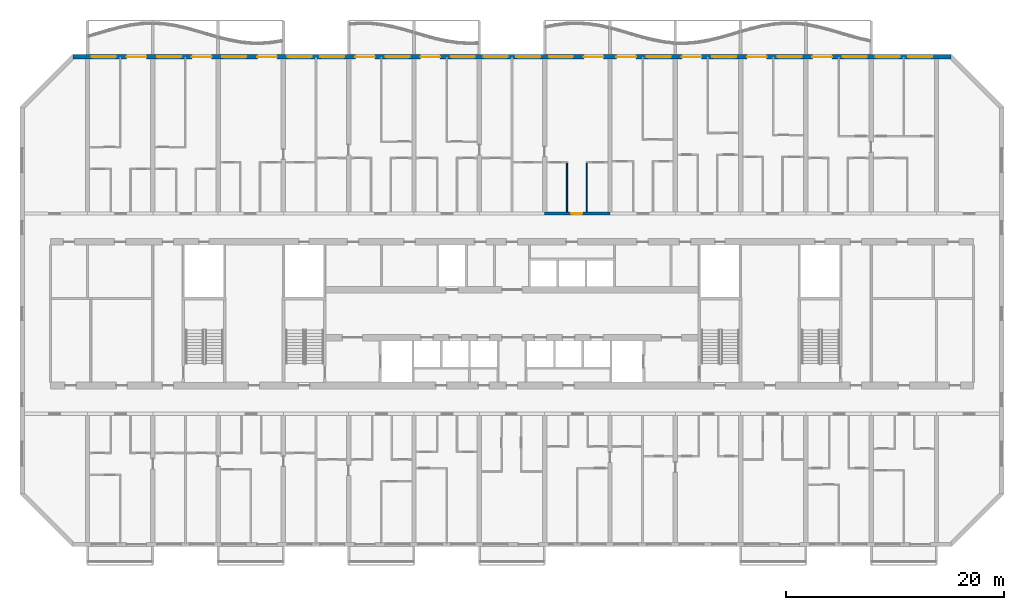
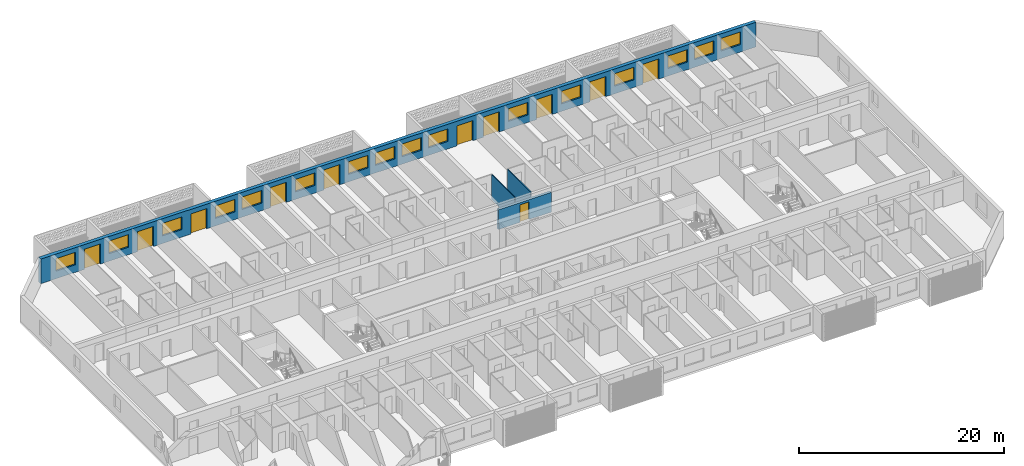
# One storey, part 12 of 39: 16 windows, 11 doors, 4 walls, 27 openings.
"""IFC4 building model written with IfcOpenShell, lengths in metres."""

from ifc_helpers import new_model, si_unit, direction, frame, frame_2d, origin, place, context, subcontext, project, spatial, rectangle, extrude, material, layer, layer_set, type_object, element, fill, save


model = new_model("IFC4")

# Units and contexts
model_context = context("Model", 3, precision=1e-05, world=origin(), true_north=direction((0.0, 1.0)))
body_context = subcontext(model_context, "Body", "Model", "MODEL_VIEW")
ifc_project = project(units=[si_unit("LENGTHUNIT", "METRE"), si_unit("AREAUNIT", "SQUARE_METRE"), si_unit("VOLUMEUNIT", "CUBIC_METRE"), si_unit("PLANEANGLEUNIT", "RADIAN"), si_unit("MASSUNIT", "GRAM", prefix="KILO")], contexts=[model_context])

# Site, building, storey
site_placement = place(None, origin())
site = spatial("IfcSite", under=ifc_project, at=site_placement, CompositionType="ELEMENT")
building_placement = place(site_placement, origin())
building = spatial("IfcBuilding", under=site, at=building_placement, Name="Poui Terraces", CompositionType="ELEMENT")
storey_placement = place(building_placement, frame((0.0, 0.0, 63.0)))
storey = spatial("IfcBuildingStorey", under=building, at=storey_placement, Name="L17", CompositionType="ELEMENT", Elevation=63.0)

# Wall, opening, door
ifc_material_1 = material(Name="Concrete 80 MPa", Category="concrete")
ifc_layer_1 = layer(ifc_material_1, 0.300048828125)
ifc_layer_set_1 = layer_set([ifc_layer_1], Name="Concrete 80 MPa")
wall_type_1 = type_object("IfcWallType", Name="CORRIDOR WALL 300 80MPa", PredefinedType="SHEAR", material=ifc_layer_set_1)
wall_1_placement = place(storey_placement, frame((54.0, 30.39990234375, 0.0), z_axis=(0.0, 0.0, 1.0), x_axis=(1.0, 0.0, 0.0)))
wall_1 = element("IfcWall", 1, at=wall_1_placement, inside=storey, type_object=wall_type_1, Name="CORRIDOR WALL LINE E BAY 9", PredefinedType="SHEAR", context=body_context, shape_type="SweptSolid", body=[
    extrude(rectangle(XDim=6.0, YDim=0.300048828125, at=frame_2d((3.0, 0.0))), origin(), (0.0, 0.0, 1.0), 2.35009765625),
])
opening_1_placement = place(wall_1_placement, frame((2.449951171875, 0.0, 0.0)))
opening_1 = element("IfcOpeningElement", 2, at=opening_1_placement, cuts=wall_1, Name="Opening FD30S", PredefinedType="OPENING", context=body_context, shape_type="SweptSolid", body=[
    extrude(rectangle(XDim=1.0, YDim=2.10009765625, at=frame_2d((0.5, 1.050048828125))), frame((0.0, 0.16015625, 0.0), z_axis=(0.0, -1.0, 0.0), x_axis=(1.0, 0.0, 0.0)), (0.0, 0.0, 1.0), 0.320068359375),
])
ifc_material_2 = material(Name="Steel fire door", Category="steel")
door_type_1 = type_object("IfcDoorType", Name="FLAT ENTRANCE DOOR 1000 X 2100", OperationType="NOTDEFINED", PredefinedType="DOOR", material=ifc_material_2)
door_1_placement = place(opening_1_placement, origin())
door_1 = element("IfcDoor", 3, at=door_1_placement, inside=storey, type_object=door_type_1, Name="FLAT ENTRANCE DOOR 061", OperationType="SINGLE_SWING_LEFT", OverallHeight=2.10009765625, OverallWidth=1.0, PredefinedType="DOOR", context=body_context, shape_type="SweptSolid", body=[
    extrude(rectangle(XDim=1.0, YDim=2.10009765625, at=frame_2d((0.5, 1.050048828125))), frame((0.0, 0.02490234375, 0.0), z_axis=(0.0, -1.0, 0.0), x_axis=(1.0, 0.0, 0.0)), (0.0, 0.0, 1.0), 0.050048828125),
])
fill(opening_1, door_1)

# Wall, openings, doors, windows
ifc_material_3 = material(Name="Precast concrete 40 MPa", Category="concrete")
ifc_layer_2 = layer(ifc_material_3, 0.39990234375)
ifc_layer_set_2 = layer_set([ifc_layer_2], Name="Precast concrete 40 MPa")
wall_type_2 = type_object("IfcWallType", Name="EXTERNAL WALL 400", PredefinedType="STANDARD", material=ifc_layer_set_2)
wall_2_placement = place(storey_placement, frame((91.317138671875, 44.800048828125, 0.0), z_axis=(0.0, 0.0, 1.0), x_axis=(-1.0, 0.0, 0.0)))
wall_2 = element("IfcWall", 4, at=wall_2_placement, inside=storey, type_object=wall_type_2, Name="EXTERNAL WALL N", PredefinedType="STANDARD", context=body_context, shape_type="SweptSolid", body=[
    extrude(rectangle(XDim=80.63427734375, YDim=0.39990234375, at=frame_2d((40.317138671875, 0.0))), origin(), (0.0, 0.0, 1.0), 2.949951171875),
])
opening_2_placement = place(wall_2_placement, frame((76.71728515625, 0.0, 0.89990234375)))
opening_2 = element("IfcOpeningElement", 5, at=opening_2_placement, cuts=wall_2, Name="Opening W1", PredefinedType="OPENING", context=body_context, shape_type="SweptSolid", body=[
    extrude(rectangle(XDim=2.199951171875, YDim=1.5, at=frame_2d((1.10009765625, 0.75))), frame((0.0, 0.2099609375, 0.0), z_axis=(0.0, -1.0, 0.0), x_axis=(1.0, 0.0, 0.0)), (0.0, 0.0, 1.0), 0.419921875),
])
opening_3_placement = place(wall_2_placement, frame((73.917236328125, 0.0, 0.0)))
opening_3 = element("IfcOpeningElement", 6, at=opening_3_placement, cuts=wall_2, Name="Opening BD1", PredefinedType="OPENING", context=body_context, shape_type="SweptSolid", body=[
    extrude(rectangle(XDim=1.800048828125, YDim=2.39990234375, at=frame_2d((0.89990234375, 1.199951171875))), frame((0.0, 0.2099609375, 0.0), z_axis=(0.0, -1.0, 0.0), x_axis=(1.0, 0.0, 0.0)), (0.0, 0.0, 1.0), 0.419921875),
])
opening_4_placement = place(wall_2_placement, frame((70.71728515625, 0.0, 0.89990234375)))
opening_4 = element("IfcOpeningElement", 7, at=opening_4_placement, cuts=wall_2, Name="Opening W1", PredefinedType="OPENING", context=body_context, shape_type="SweptSolid", body=[
    extrude(rectangle(XDim=2.199951171875, YDim=1.5, at=frame_2d((1.10009765625, 0.75))), frame((0.0, 0.2099609375, 0.0), z_axis=(0.0, -1.0, 0.0), x_axis=(1.0, 0.0, 0.0)), (0.0, 0.0, 1.0), 0.419921875),
])
opening_5_placement = place(wall_2_placement, frame((67.917236328125, 0.0, 0.0)))
opening_5 = element("IfcOpeningElement", 8, at=opening_5_placement, cuts=wall_2, Name="Opening BD1", PredefinedType="OPENING", context=body_context, shape_type="SweptSolid", body=[
    extrude(rectangle(XDim=1.800048828125, YDim=2.39990234375, at=frame_2d((0.89990234375, 1.199951171875))), frame((0.0, 0.2099609375, 0.0), z_axis=(0.0, -1.0, 0.0), x_axis=(1.0, 0.0, 0.0)), (0.0, 0.0, 1.0), 0.419921875),
])
opening_6_placement = place(wall_2_placement, frame((64.71728515625, 0.0, 0.89990234375)))
opening_6 = element("IfcOpeningElement", 9, at=opening_6_placement, cuts=wall_2, Name="Opening W1", PredefinedType="OPENING", context=body_context, shape_type="SweptSolid", body=[
    extrude(rectangle(XDim=2.199951171875, YDim=1.5, at=frame_2d((1.10009765625, 0.75))), frame((0.0, 0.2099609375, 0.0), z_axis=(0.0, -1.0, 0.0), x_axis=(1.0, 0.0, 0.0)), (0.0, 0.0, 1.0), 0.419921875),
])
opening_7_placement = place(wall_2_placement, frame((61.917236328125, 0.0, 0.0)))
opening_7 = element("IfcOpeningElement", 10, at=opening_7_placement, cuts=wall_2, Name="Opening BD1", PredefinedType="OPENING", context=body_context, shape_type="SweptSolid", body=[
    extrude(rectangle(XDim=1.800048828125, YDim=2.39990234375, at=frame_2d((0.89990234375, 1.199951171875))), frame((0.0, 0.2099609375, 0.0), z_axis=(0.0, -1.0, 0.0), x_axis=(1.0, 0.0, 0.0)), (0.0, 0.0, 1.0), 0.419921875),
])
opening_8_placement = place(wall_2_placement, frame((58.71728515625, 0.0, 0.89990234375)))
opening_8 = element("IfcOpeningElement", 11, at=opening_8_placement, cuts=wall_2, Name="Opening W1", PredefinedType="OPENING", context=body_context, shape_type="SweptSolid", body=[
    extrude(rectangle(XDim=2.199951171875, YDim=1.5, at=frame_2d((1.10009765625, 0.75))), frame((0.0, 0.2099609375, 0.0), z_axis=(0.0, -1.0, 0.0), x_axis=(1.0, 0.0, 0.0)), (0.0, 0.0, 1.0), 0.419921875),
])
opening_9_placement = place(wall_2_placement, frame((55.71728515625, 0.0, 0.89990234375)))
opening_9 = element("IfcOpeningElement", 12, at=opening_9_placement, cuts=wall_2, Name="Opening W1", PredefinedType="OPENING", context=body_context, shape_type="SweptSolid", body=[
    extrude(rectangle(XDim=2.199951171875, YDim=1.5, at=frame_2d((1.10009765625, 0.75))), frame((0.0, 0.2099609375, 0.0), z_axis=(0.0, -1.0, 0.0), x_axis=(1.0, 0.0, 0.0)), (0.0, 0.0, 1.0), 0.419921875),
])
opening_10_placement = place(wall_2_placement, frame((52.917236328125, 0.0, 0.0)))
opening_10 = element("IfcOpeningElement", 13, at=opening_10_placement, cuts=wall_2, Name="Opening BD1", PredefinedType="OPENING", context=body_context, shape_type="SweptSolid", body=[
    extrude(rectangle(XDim=1.800048828125, YDim=2.39990234375, at=frame_2d((0.89990234375, 1.199951171875))), frame((0.0, 0.2099609375, 0.0), z_axis=(0.0, -1.0, 0.0), x_axis=(1.0, 0.0, 0.0)), (0.0, 0.0, 1.0), 0.419921875),
])
opening_11_placement = place(wall_2_placement, frame((49.71728515625, 0.0, 0.89990234375)))
opening_11 = element("IfcOpeningElement", 14, at=opening_11_placement, cuts=wall_2, Name="Opening W1", PredefinedType="OPENING", context=body_context, shape_type="SweptSolid", body=[
    extrude(rectangle(XDim=2.199951171875, YDim=1.5, at=frame_2d((1.10009765625, 0.75))), frame((0.0, 0.2099609375, 0.0), z_axis=(0.0, -1.0, 0.0), x_axis=(1.0, 0.0, 0.0)), (0.0, 0.0, 1.0), 0.419921875),
])
opening_12_placement = place(wall_2_placement, frame((46.917236328125, 0.0, 0.0)))
opening_12 = element("IfcOpeningElement", 15, at=opening_12_placement, cuts=wall_2, Name="Opening BD1", PredefinedType="OPENING", context=body_context, shape_type="SweptSolid", body=[
    extrude(rectangle(XDim=1.800048828125, YDim=2.39990234375, at=frame_2d((0.89990234375, 1.199951171875))), frame((0.0, 0.2099609375, 0.0), z_axis=(0.0, -1.0, 0.0), x_axis=(1.0, 0.0, 0.0)), (0.0, 0.0, 1.0), 0.419921875),
])
opening_13_placement = place(wall_2_placement, frame((43.71728515625, 0.0, 0.89990234375)))
opening_13 = element("IfcOpeningElement", 16, at=opening_13_placement, cuts=wall_2, Name="Opening W1", PredefinedType="OPENING", context=body_context, shape_type="SweptSolid", body=[
    extrude(rectangle(XDim=2.199951171875, YDim=1.5, at=frame_2d((1.10009765625, 0.75))), frame((0.0, 0.2099609375, 0.0), z_axis=(0.0, -1.0, 0.0), x_axis=(1.0, 0.0, 0.0)), (0.0, 0.0, 1.0), 0.419921875),
])
opening_14_placement = place(wall_2_placement, frame((40.71728515625, 0.0, 0.89990234375)))
opening_14 = element("IfcOpeningElement", 17, at=opening_14_placement, cuts=wall_2, Name="Opening W1", PredefinedType="OPENING", context=body_context, shape_type="SweptSolid", body=[
    extrude(rectangle(XDim=2.199951171875, YDim=1.5, at=frame_2d((1.10009765625, 0.75))), frame((0.0, 0.2099609375, 0.0), z_axis=(0.0, -1.0, 0.0), x_axis=(1.0, 0.0, 0.0)), (0.0, 0.0, 1.0), 0.419921875),
])
opening_15_placement = place(wall_2_placement, frame((37.71728515625, 0.0, 0.89990234375)))
opening_15 = element("IfcOpeningElement", 18, at=opening_15_placement, cuts=wall_2, Name="Opening W1", PredefinedType="OPENING", context=body_context, shape_type="SweptSolid", body=[
    extrude(rectangle(XDim=2.199951171875, YDim=1.5, at=frame_2d((1.10009765625, 0.75))), frame((0.0, 0.2099609375, 0.0), z_axis=(0.0, -1.0, 0.0), x_axis=(1.0, 0.0, 0.0)), (0.0, 0.0, 1.0), 0.419921875),
])
opening_16_placement = place(wall_2_placement, frame((34.71728515625, 0.0, 0.89990234375)))
opening_16 = element("IfcOpeningElement", 19, at=opening_16_placement, cuts=wall_2, Name="Opening W1", PredefinedType="OPENING", context=body_context, shape_type="SweptSolid", body=[
    extrude(rectangle(XDim=2.199951171875, YDim=1.5, at=frame_2d((1.10009765625, 0.75))), frame((0.0, 0.2099609375, 0.0), z_axis=(0.0, -1.0, 0.0), x_axis=(1.0, 0.0, 0.0)), (0.0, 0.0, 1.0), 0.419921875),
])
opening_17_placement = place(wall_2_placement, frame((31.917236328125, 0.0, 0.0)))
opening_17 = element("IfcOpeningElement", 20, at=opening_17_placement, cuts=wall_2, Name="Opening BD1", PredefinedType="OPENING", context=body_context, shape_type="SweptSolid", body=[
    extrude(rectangle(XDim=1.800048828125, YDim=2.39990234375, at=frame_2d((0.89990234375, 1.199951171875))), frame((0.0, 0.2099609375, 0.0), z_axis=(0.0, -1.0, 0.0), x_axis=(1.0, 0.0, 0.0)), (0.0, 0.0, 1.0), 0.419921875),
])
opening_18_placement = place(wall_2_placement, frame((28.917236328125, 0.0, 0.0)))
opening_18 = element("IfcOpeningElement", 21, at=opening_18_placement, cuts=wall_2, Name="Opening BD1", PredefinedType="OPENING", context=body_context, shape_type="SweptSolid", body=[
    extrude(rectangle(XDim=1.800048828125, YDim=2.39990234375, at=frame_2d((0.89990234375, 1.199951171875))), frame((0.0, 0.2099609375, 0.0), z_axis=(0.0, -1.0, 0.0), x_axis=(1.0, 0.0, 0.0)), (0.0, 0.0, 1.0), 0.419921875),
])
opening_19_placement = place(wall_2_placement, frame((25.71728515625, 0.0, 0.89990234375)))
opening_19 = element("IfcOpeningElement", 22, at=opening_19_placement, cuts=wall_2, Name="Opening W1", PredefinedType="OPENING", context=body_context, shape_type="SweptSolid", body=[
    extrude(rectangle(XDim=2.199951171875, YDim=1.5, at=frame_2d((1.10009765625, 0.75))), frame((0.0, 0.2099609375, 0.0), z_axis=(0.0, -1.0, 0.0), x_axis=(1.0, 0.0, 0.0)), (0.0, 0.0, 1.0), 0.419921875),
])
opening_20_placement = place(wall_2_placement, frame((22.917236328125, 0.0, 0.0)))
opening_20 = element("IfcOpeningElement", 23, at=opening_20_placement, cuts=wall_2, Name="Opening BD1", PredefinedType="OPENING", context=body_context, shape_type="SweptSolid", body=[
    extrude(rectangle(XDim=1.800048828125, YDim=2.39990234375, at=frame_2d((0.89990234375, 1.199951171875))), frame((0.0, 0.2099609375, 0.0), z_axis=(0.0, -1.0, 0.0), x_axis=(1.0, 0.0, 0.0)), (0.0, 0.0, 1.0), 0.419921875),
])
opening_21_placement = place(wall_2_placement, frame((19.71728515625, 0.0, 0.89990234375)))
opening_21 = element("IfcOpeningElement", 24, at=opening_21_placement, cuts=wall_2, Name="Opening W1", PredefinedType="OPENING", context=body_context, shape_type="SweptSolid", body=[
    extrude(rectangle(XDim=2.199951171875, YDim=1.5, at=frame_2d((1.10009765625, 0.75))), frame((0.0, 0.2099609375, 0.0), z_axis=(0.0, -1.0, 0.0), x_axis=(1.0, 0.0, 0.0)), (0.0, 0.0, 1.0), 0.419921875),
])
opening_22_placement = place(wall_2_placement, frame((16.917236328125, 0.0, 0.0)))
opening_22 = element("IfcOpeningElement", 25, at=opening_22_placement, cuts=wall_2, Name="Opening BD1", PredefinedType="OPENING", context=body_context, shape_type="SweptSolid", body=[
    extrude(rectangle(XDim=1.800048828125, YDim=2.39990234375, at=frame_2d((0.89990234375, 1.199951171875))), frame((0.0, 0.2099609375, 0.0), z_axis=(0.0, -1.0, 0.0), x_axis=(1.0, 0.0, 0.0)), (0.0, 0.0, 1.0), 0.419921875),
])
opening_23_placement = place(wall_2_placement, frame((13.71728515625, 0.0, 0.89990234375)))
opening_23 = element("IfcOpeningElement", 26, at=opening_23_placement, cuts=wall_2, Name="Opening W1", PredefinedType="OPENING", context=body_context, shape_type="SweptSolid", body=[
    extrude(rectangle(XDim=2.199951171875, YDim=1.5, at=frame_2d((1.10009765625, 0.75))), frame((0.0, 0.2099609375, 0.0), z_axis=(0.0, -1.0, 0.0), x_axis=(1.0, 0.0, 0.0)), (0.0, 0.0, 1.0), 0.419921875),
])
opening_24_placement = place(wall_2_placement, frame((10.917236328125, 0.0, 0.0)))
opening_24 = element("IfcOpeningElement", 27, at=opening_24_placement, cuts=wall_2, Name="Opening BD1", PredefinedType="OPENING", context=body_context, shape_type="SweptSolid", body=[
    extrude(rectangle(XDim=1.800048828125, YDim=2.39990234375, at=frame_2d((0.89990234375, 1.199951171875))), frame((0.0, 0.2099609375, 0.0), z_axis=(0.0, -1.0, 0.0), x_axis=(1.0, 0.0, 0.0)), (0.0, 0.0, 1.0), 0.419921875),
])
opening_25_placement = place(wall_2_placement, frame((7.71728515625, 0.0, 0.89990234375)))
opening_25 = element("IfcOpeningElement", 28, at=opening_25_placement, cuts=wall_2, Name="Opening W1", PredefinedType="OPENING", context=body_context, shape_type="SweptSolid", body=[
    extrude(rectangle(XDim=2.199951171875, YDim=1.5, at=frame_2d((1.10009765625, 0.75))), frame((0.0, 0.2099609375, 0.0), z_axis=(0.0, -1.0, 0.0), x_axis=(1.0, 0.0, 0.0)), (0.0, 0.0, 1.0), 0.419921875),
])
opening_26_placement = place(wall_2_placement, frame((4.71728515625, 0.0, 0.89990234375)))
opening_26 = element("IfcOpeningElement", 29, at=opening_26_placement, cuts=wall_2, Name="Opening W1", PredefinedType="OPENING", context=body_context, shape_type="SweptSolid", body=[
    extrude(rectangle(XDim=2.199951171875, YDim=1.5, at=frame_2d((1.10009765625, 0.75))), frame((0.0, 0.2099609375, 0.0), z_axis=(0.0, -1.0, 0.0), x_axis=(1.0, 0.0, 0.0)), (0.0, 0.0, 1.0), 0.419921875),
])
opening_27_placement = place(wall_2_placement, frame((1.71728515625, 0.0, 0.89990234375)))
opening_27 = element("IfcOpeningElement", 30, at=opening_27_placement, cuts=wall_2, Name="Opening W1", PredefinedType="OPENING", context=body_context, shape_type="SweptSolid", body=[
    extrude(rectangle(XDim=2.199951171875, YDim=1.5, at=frame_2d((1.10009765625, 0.75))), frame((0.0, 0.2099609375, 0.0), z_axis=(0.0, -1.0, 0.0), x_axis=(1.0, 0.0, 0.0)), (0.0, 0.0, 1.0), 0.419921875),
])
ifc_material_4 = material(Name="Clear glass in aluminium frame", Category="aluminium")
door_type_2 = type_object("IfcDoorType", Name="BALCONY DOOR 1800X2400", OperationType="DOUBLE_DOOR_SLIDING", PredefinedType="DOOR", material=ifc_material_4)
door_2_placement = place(opening_3_placement, origin())
door_2 = element("IfcDoor", 31, at=door_2_placement, inside=storey, type_object=door_type_2, Name="BD1 BALCONY DOOR", OperationType="DOUBLE_DOOR_SLIDING", OverallHeight=2.39990234375, OverallWidth=1.800048828125, PredefinedType="DOOR", context=body_context, shape_type="SweptSolid", body=[
    extrude(rectangle(XDim=1.800048828125, YDim=2.39990234375, at=frame_2d((0.89990234375, 1.199951171875))), frame((0.0, 0.02490234375, 0.0), z_axis=(0.0, -1.0, 0.0), x_axis=(1.0, 0.0, 0.0)), (0.0, 0.0, 1.0), 0.050048828125),
])
fill(opening_3, door_2)
door_3_placement = place(opening_5_placement, origin())
door_3 = element("IfcDoor", 32, at=door_3_placement, inside=storey, type_object=door_type_2, Name="BD1 BALCONY DOOR", OperationType="DOUBLE_DOOR_SLIDING", OverallHeight=2.39990234375, OverallWidth=1.800048828125, PredefinedType="DOOR", context=body_context, shape_type="SweptSolid", body=[
    extrude(rectangle(XDim=1.800048828125, YDim=2.39990234375, at=frame_2d((0.89990234375, 1.199951171875))), frame((0.0, 0.02490234375, 0.0), z_axis=(0.0, -1.0, 0.0), x_axis=(1.0, 0.0, 0.0)), (0.0, 0.0, 1.0), 0.050048828125),
])
fill(opening_5, door_3)
door_4_placement = place(opening_7_placement, origin())
door_4 = element("IfcDoor", 33, at=door_4_placement, inside=storey, type_object=door_type_2, Name="BD1 BALCONY DOOR", OperationType="DOUBLE_DOOR_SLIDING", OverallHeight=2.39990234375, OverallWidth=1.800048828125, PredefinedType="DOOR", context=body_context, shape_type="SweptSolid", body=[
    extrude(rectangle(XDim=1.800048828125, YDim=2.39990234375, at=frame_2d((0.89990234375, 1.199951171875))), frame((0.0, 0.02490234375, 0.0), z_axis=(0.0, -1.0, 0.0), x_axis=(1.0, 0.0, 0.0)), (0.0, 0.0, 1.0), 0.050048828125),
])
fill(opening_7, door_4)
door_5_placement = place(opening_10_placement, origin())
door_5 = element("IfcDoor", 34, at=door_5_placement, inside=storey, type_object=door_type_2, Name="BD1 BALCONY DOOR", OperationType="DOUBLE_DOOR_SLIDING", OverallHeight=2.39990234375, OverallWidth=1.800048828125, PredefinedType="DOOR", context=body_context, shape_type="SweptSolid", body=[
    extrude(rectangle(XDim=1.800048828125, YDim=2.39990234375, at=frame_2d((0.89990234375, 1.199951171875))), frame((0.0, 0.02490234375, 0.0), z_axis=(0.0, -1.0, 0.0), x_axis=(1.0, 0.0, 0.0)), (0.0, 0.0, 1.0), 0.050048828125),
])
fill(opening_10, door_5)
door_6_placement = place(opening_12_placement, origin())
door_6 = element("IfcDoor", 35, at=door_6_placement, inside=storey, type_object=door_type_2, Name="BD1 BALCONY DOOR", OperationType="DOUBLE_DOOR_SLIDING", OverallHeight=2.39990234375, OverallWidth=1.800048828125, PredefinedType="DOOR", context=body_context, shape_type="SweptSolid", body=[
    extrude(rectangle(XDim=1.800048828125, YDim=2.39990234375, at=frame_2d((0.89990234375, 1.199951171875))), frame((0.0, 0.02490234375, 0.0), z_axis=(0.0, -1.0, 0.0), x_axis=(1.0, 0.0, 0.0)), (0.0, 0.0, 1.0), 0.050048828125),
])
fill(opening_12, door_6)
door_7_placement = place(opening_17_placement, origin())
door_7 = element("IfcDoor", 36, at=door_7_placement, inside=storey, type_object=door_type_2, Name="BD1 BALCONY DOOR", OperationType="DOUBLE_DOOR_SLIDING", OverallHeight=2.39990234375, OverallWidth=1.800048828125, PredefinedType="DOOR", context=body_context, shape_type="SweptSolid", body=[
    extrude(rectangle(XDim=1.800048828125, YDim=2.39990234375, at=frame_2d((0.89990234375, 1.199951171875))), frame((0.0, 0.02490234375, 0.0), z_axis=(0.0, -1.0, 0.0), x_axis=(1.0, 0.0, 0.0)), (0.0, 0.0, 1.0), 0.050048828125),
])
fill(opening_17, door_7)
door_8_placement = place(opening_18_placement, origin())
door_8 = element("IfcDoor", 37, at=door_8_placement, inside=storey, type_object=door_type_2, Name="BD1 BALCONY DOOR", OperationType="DOUBLE_DOOR_SLIDING", OverallHeight=2.39990234375, OverallWidth=1.800048828125, PredefinedType="DOOR", context=body_context, shape_type="SweptSolid", body=[
    extrude(rectangle(XDim=1.800048828125, YDim=2.39990234375, at=frame_2d((0.89990234375, 1.199951171875))), frame((0.0, 0.02490234375, 0.0), z_axis=(0.0, -1.0, 0.0), x_axis=(1.0, 0.0, 0.0)), (0.0, 0.0, 1.0), 0.050048828125),
])
fill(opening_18, door_8)
door_9_placement = place(opening_20_placement, origin())
door_9 = element("IfcDoor", 38, at=door_9_placement, inside=storey, type_object=door_type_2, Name="BD1 BALCONY DOOR", OperationType="DOUBLE_DOOR_SLIDING", OverallHeight=2.39990234375, OverallWidth=1.800048828125, PredefinedType="DOOR", context=body_context, shape_type="SweptSolid", body=[
    extrude(rectangle(XDim=1.800048828125, YDim=2.39990234375, at=frame_2d((0.89990234375, 1.199951171875))), frame((0.0, 0.02490234375, 0.0), z_axis=(0.0, -1.0, 0.0), x_axis=(1.0, 0.0, 0.0)), (0.0, 0.0, 1.0), 0.050048828125),
])
fill(opening_20, door_9)
door_10_placement = place(opening_22_placement, origin())
door_10 = element("IfcDoor", 39, at=door_10_placement, inside=storey, type_object=door_type_2, Name="BD1 BALCONY DOOR", OperationType="DOUBLE_DOOR_SLIDING", OverallHeight=2.39990234375, OverallWidth=1.800048828125, PredefinedType="DOOR", context=body_context, shape_type="SweptSolid", body=[
    extrude(rectangle(XDim=1.800048828125, YDim=2.39990234375, at=frame_2d((0.89990234375, 1.199951171875))), frame((0.0, 0.02490234375, 0.0), z_axis=(0.0, -1.0, 0.0), x_axis=(1.0, 0.0, 0.0)), (0.0, 0.0, 1.0), 0.050048828125),
])
fill(opening_22, door_10)
door_11_placement = place(opening_24_placement, origin())
door_11 = element("IfcDoor", 40, at=door_11_placement, inside=storey, type_object=door_type_2, Name="BD1 BALCONY DOOR", OperationType="DOUBLE_DOOR_SLIDING", OverallHeight=2.39990234375, OverallWidth=1.800048828125, PredefinedType="DOOR", context=body_context, shape_type="SweptSolid", body=[
    extrude(rectangle(XDim=1.800048828125, YDim=2.39990234375, at=frame_2d((0.89990234375, 1.199951171875))), frame((0.0, 0.02490234375, 0.0), z_axis=(0.0, -1.0, 0.0), x_axis=(1.0, 0.0, 0.0)), (0.0, 0.0, 1.0), 0.050048828125),
])
fill(opening_24, door_11)
window_type = type_object("IfcWindowType", Name="WINDOW 2200X1500", PartitioningType="DOUBLE_PANEL_HORIZONTAL", PredefinedType="WINDOW", material=ifc_material_4)
window_1_placement = place(opening_2_placement, origin())
window_1 = element("IfcWindow", 41, at=window_1_placement, inside=storey, type_object=window_type, Name="W1 WINDOW", OverallHeight=1.5, OverallWidth=2.199951171875, PartitioningType="DOUBLE_PANEL_HORIZONTAL", PredefinedType="WINDOW", context=body_context, shape_type="SweptSolid", body=[
    extrude(rectangle(XDim=2.199951171875, YDim=1.5, at=frame_2d((1.10009765625, 0.75))), frame((0.0, 0.030029296875, 0.0), z_axis=(0.0, -1.0, 0.0), x_axis=(1.0, 0.0, 0.0)), (0.0, 0.0, 1.0), 0.06005859375),
])
fill(opening_2, window_1)
window_2_placement = place(opening_4_placement, origin())
window_2 = element("IfcWindow", 42, at=window_2_placement, inside=storey, type_object=window_type, Name="W1 WINDOW", OverallHeight=1.5, OverallWidth=2.199951171875, PartitioningType="DOUBLE_PANEL_HORIZONTAL", PredefinedType="WINDOW", context=body_context, shape_type="SweptSolid", body=[
    extrude(rectangle(XDim=2.199951171875, YDim=1.5, at=frame_2d((1.10009765625, 0.75))), frame((0.0, 0.030029296875, 0.0), z_axis=(0.0, -1.0, 0.0), x_axis=(1.0, 0.0, 0.0)), (0.0, 0.0, 1.0), 0.06005859375),
])
fill(opening_4, window_2)
window_3_placement = place(opening_6_placement, origin())
window_3 = element("IfcWindow", 43, at=window_3_placement, inside=storey, type_object=window_type, Name="W1 WINDOW", OverallHeight=1.5, OverallWidth=2.199951171875, PartitioningType="DOUBLE_PANEL_HORIZONTAL", PredefinedType="WINDOW", context=body_context, shape_type="SweptSolid", body=[
    extrude(rectangle(XDim=2.199951171875, YDim=1.5, at=frame_2d((1.10009765625, 0.75))), frame((0.0, 0.030029296875, 0.0), z_axis=(0.0, -1.0, 0.0), x_axis=(1.0, 0.0, 0.0)), (0.0, 0.0, 1.0), 0.06005859375),
])
fill(opening_6, window_3)
window_4_placement = place(opening_8_placement, origin())
window_4 = element("IfcWindow", 44, at=window_4_placement, inside=storey, type_object=window_type, Name="W1 WINDOW", OverallHeight=1.5, OverallWidth=2.199951171875, PartitioningType="DOUBLE_PANEL_HORIZONTAL", PredefinedType="WINDOW", context=body_context, shape_type="SweptSolid", body=[
    extrude(rectangle(XDim=2.199951171875, YDim=1.5, at=frame_2d((1.10009765625, 0.75))), frame((0.0, 0.030029296875, 0.0), z_axis=(0.0, -1.0, 0.0), x_axis=(1.0, 0.0, 0.0)), (0.0, 0.0, 1.0), 0.06005859375),
])
fill(opening_8, window_4)
window_5_placement = place(opening_9_placement, origin())
window_5 = element("IfcWindow", 45, at=window_5_placement, inside=storey, type_object=window_type, Name="W1 WINDOW", OverallHeight=1.5, OverallWidth=2.199951171875, PartitioningType="DOUBLE_PANEL_HORIZONTAL", PredefinedType="WINDOW", context=body_context, shape_type="SweptSolid", body=[
    extrude(rectangle(XDim=2.199951171875, YDim=1.5, at=frame_2d((1.10009765625, 0.75))), frame((0.0, 0.030029296875, 0.0), z_axis=(0.0, -1.0, 0.0), x_axis=(1.0, 0.0, 0.0)), (0.0, 0.0, 1.0), 0.06005859375),
])
fill(opening_9, window_5)
window_6_placement = place(opening_11_placement, origin())
window_6 = element("IfcWindow", 46, at=window_6_placement, inside=storey, type_object=window_type, Name="W1 WINDOW", OverallHeight=1.5, OverallWidth=2.199951171875, PartitioningType="DOUBLE_PANEL_HORIZONTAL", PredefinedType="WINDOW", context=body_context, shape_type="SweptSolid", body=[
    extrude(rectangle(XDim=2.199951171875, YDim=1.5, at=frame_2d((1.10009765625, 0.75))), frame((0.0, 0.030029296875, 0.0), z_axis=(0.0, -1.0, 0.0), x_axis=(1.0, 0.0, 0.0)), (0.0, 0.0, 1.0), 0.06005859375),
])
fill(opening_11, window_6)
window_7_placement = place(opening_13_placement, origin())
window_7 = element("IfcWindow", 47, at=window_7_placement, inside=storey, type_object=window_type, Name="W1 WINDOW", OverallHeight=1.5, OverallWidth=2.199951171875, PartitioningType="DOUBLE_PANEL_HORIZONTAL", PredefinedType="WINDOW", context=body_context, shape_type="SweptSolid", body=[
    extrude(rectangle(XDim=2.199951171875, YDim=1.5, at=frame_2d((1.10009765625, 0.75))), frame((0.0, 0.030029296875, 0.0), z_axis=(0.0, -1.0, 0.0), x_axis=(1.0, 0.0, 0.0)), (0.0, 0.0, 1.0), 0.06005859375),
])
fill(opening_13, window_7)
window_8_placement = place(opening_14_placement, origin())
window_8 = element("IfcWindow", 48, at=window_8_placement, inside=storey, type_object=window_type, Name="W1 WINDOW", OverallHeight=1.5, OverallWidth=2.199951171875, PartitioningType="DOUBLE_PANEL_HORIZONTAL", PredefinedType="WINDOW", context=body_context, shape_type="SweptSolid", body=[
    extrude(rectangle(XDim=2.199951171875, YDim=1.5, at=frame_2d((1.10009765625, 0.75))), frame((0.0, 0.030029296875, 0.0), z_axis=(0.0, -1.0, 0.0), x_axis=(1.0, 0.0, 0.0)), (0.0, 0.0, 1.0), 0.06005859375),
])
fill(opening_14, window_8)
window_9_placement = place(opening_15_placement, origin())
window_9 = element("IfcWindow", 49, at=window_9_placement, inside=storey, type_object=window_type, Name="W1 WINDOW", OverallHeight=1.5, OverallWidth=2.199951171875, PartitioningType="DOUBLE_PANEL_HORIZONTAL", PredefinedType="WINDOW", context=body_context, shape_type="SweptSolid", body=[
    extrude(rectangle(XDim=2.199951171875, YDim=1.5, at=frame_2d((1.10009765625, 0.75))), frame((0.0, 0.030029296875, 0.0), z_axis=(0.0, -1.0, 0.0), x_axis=(1.0, 0.0, 0.0)), (0.0, 0.0, 1.0), 0.06005859375),
])
fill(opening_15, window_9)
window_10_placement = place(opening_16_placement, origin())
window_10 = element("IfcWindow", 50, at=window_10_placement, inside=storey, type_object=window_type, Name="W1 WINDOW", OverallHeight=1.5, OverallWidth=2.199951171875, PartitioningType="DOUBLE_PANEL_HORIZONTAL", PredefinedType="WINDOW", context=body_context, shape_type="SweptSolid", body=[
    extrude(rectangle(XDim=2.199951171875, YDim=1.5, at=frame_2d((1.10009765625, 0.75))), frame((0.0, 0.030029296875, 0.0), z_axis=(0.0, -1.0, 0.0), x_axis=(1.0, 0.0, 0.0)), (0.0, 0.0, 1.0), 0.06005859375),
])
fill(opening_16, window_10)
window_11_placement = place(opening_19_placement, origin())
window_11 = element("IfcWindow", 51, at=window_11_placement, inside=storey, type_object=window_type, Name="W1 WINDOW", OverallHeight=1.5, OverallWidth=2.199951171875, PartitioningType="DOUBLE_PANEL_HORIZONTAL", PredefinedType="WINDOW", context=body_context, shape_type="SweptSolid", body=[
    extrude(rectangle(XDim=2.199951171875, YDim=1.5, at=frame_2d((1.10009765625, 0.75))), frame((0.0, 0.030029296875, 0.0), z_axis=(0.0, -1.0, 0.0), x_axis=(1.0, 0.0, 0.0)), (0.0, 0.0, 1.0), 0.06005859375),
])
fill(opening_19, window_11)
window_12_placement = place(opening_21_placement, origin())
window_12 = element("IfcWindow", 52, at=window_12_placement, inside=storey, type_object=window_type, Name="W1 WINDOW", OverallHeight=1.5, OverallWidth=2.199951171875, PartitioningType="DOUBLE_PANEL_HORIZONTAL", PredefinedType="WINDOW", context=body_context, shape_type="SweptSolid", body=[
    extrude(rectangle(XDim=2.199951171875, YDim=1.5, at=frame_2d((1.10009765625, 0.75))), frame((0.0, 0.030029296875, 0.0), z_axis=(0.0, -1.0, 0.0), x_axis=(1.0, 0.0, 0.0)), (0.0, 0.0, 1.0), 0.06005859375),
])
fill(opening_21, window_12)
window_13_placement = place(opening_23_placement, origin())
window_13 = element("IfcWindow", 53, at=window_13_placement, inside=storey, type_object=window_type, Name="W1 WINDOW", OverallHeight=1.5, OverallWidth=2.199951171875, PartitioningType="DOUBLE_PANEL_HORIZONTAL", PredefinedType="WINDOW", context=body_context, shape_type="SweptSolid", body=[
    extrude(rectangle(XDim=2.199951171875, YDim=1.5, at=frame_2d((1.10009765625, 0.75))), frame((0.0, 0.030029296875, 0.0), z_axis=(0.0, -1.0, 0.0), x_axis=(1.0, 0.0, 0.0)), (0.0, 0.0, 1.0), 0.06005859375),
])
fill(opening_23, window_13)
window_14_placement = place(opening_25_placement, origin())
window_14 = element("IfcWindow", 54, at=window_14_placement, inside=storey, type_object=window_type, Name="W1 WINDOW", OverallHeight=1.5, OverallWidth=2.199951171875, PartitioningType="DOUBLE_PANEL_HORIZONTAL", PredefinedType="WINDOW", context=body_context, shape_type="SweptSolid", body=[
    extrude(rectangle(XDim=2.199951171875, YDim=1.5, at=frame_2d((1.10009765625, 0.75))), frame((0.0, 0.030029296875, 0.0), z_axis=(0.0, -1.0, 0.0), x_axis=(1.0, 0.0, 0.0)), (0.0, 0.0, 1.0), 0.06005859375),
])
fill(opening_25, window_14)
window_15_placement = place(opening_26_placement, origin())
window_15 = element("IfcWindow", 55, at=window_15_placement, inside=storey, type_object=window_type, Name="W1 WINDOW", OverallHeight=1.5, OverallWidth=2.199951171875, PartitioningType="DOUBLE_PANEL_HORIZONTAL", PredefinedType="WINDOW", context=body_context, shape_type="SweptSolid", body=[
    extrude(rectangle(XDim=2.199951171875, YDim=1.5, at=frame_2d((1.10009765625, 0.75))), frame((0.0, 0.030029296875, 0.0), z_axis=(0.0, -1.0, 0.0), x_axis=(1.0, 0.0, 0.0)), (0.0, 0.0, 1.0), 0.06005859375),
])
fill(opening_26, window_15)
window_16_placement = place(opening_27_placement, origin())
window_16 = element("IfcWindow", 56, at=window_16_placement, inside=storey, type_object=window_type, Name="W1 WINDOW", OverallHeight=1.5, OverallWidth=2.199951171875, PartitioningType="DOUBLE_PANEL_HORIZONTAL", PredefinedType="WINDOW", context=body_context, shape_type="SweptSolid", body=[
    extrude(rectangle(XDim=2.199951171875, YDim=1.5, at=frame_2d((1.10009765625, 0.75))), frame((0.0, 0.030029296875, 0.0), z_axis=(0.0, -1.0, 0.0), x_axis=(1.0, 0.0, 0.0)), (0.0, 0.0, 1.0), 0.06005859375),
])
fill(opening_27, window_16)

# Walls
ifc_material_5 = material(Name="Plasterboard partition")
ifc_layer_3 = layer(ifc_material_5, 0.10009765625)
ifc_layer_set_3 = layer_set([ifc_layer_3], Name="Plasterboard partition")
wall_type_3 = type_object("IfcWallType", Name="FLAT PARTITION 100", PredefinedType="PARTITIONING", material=ifc_layer_set_3)
for number, where, z_axis, x_axis, name in (
    (57, (56.050048828125, 30.56005859375, 0.0), (0.0, 0.0, 1.0), (0.0, 1.0, 0.0), "FLAT PARTITION 100"),
    (58, (57.85009765625, 30.56005859375, 0.0), (0.0, 0.0, 1.0), (0.0, 1.0, 0.0), "FLAT PARTITION 100"),
):
    element("IfcWall", number, at=place(storey_placement, frame(where, z_axis=z_axis, x_axis=x_axis)), inside=storey, type_object=wall_type_3, Name=name, PredefinedType="PARTITIONING", context=body_context, shape_type="SweptSolid", body=[
        extrude(rectangle(XDim=4.489990234375, YDim=0.10009765625, at=frame_2d((2.2451171875, 0.0))), origin(), (0.0, 0.0, 1.0), 2.949951171875),
    ])

save(model, "model.ifc")
